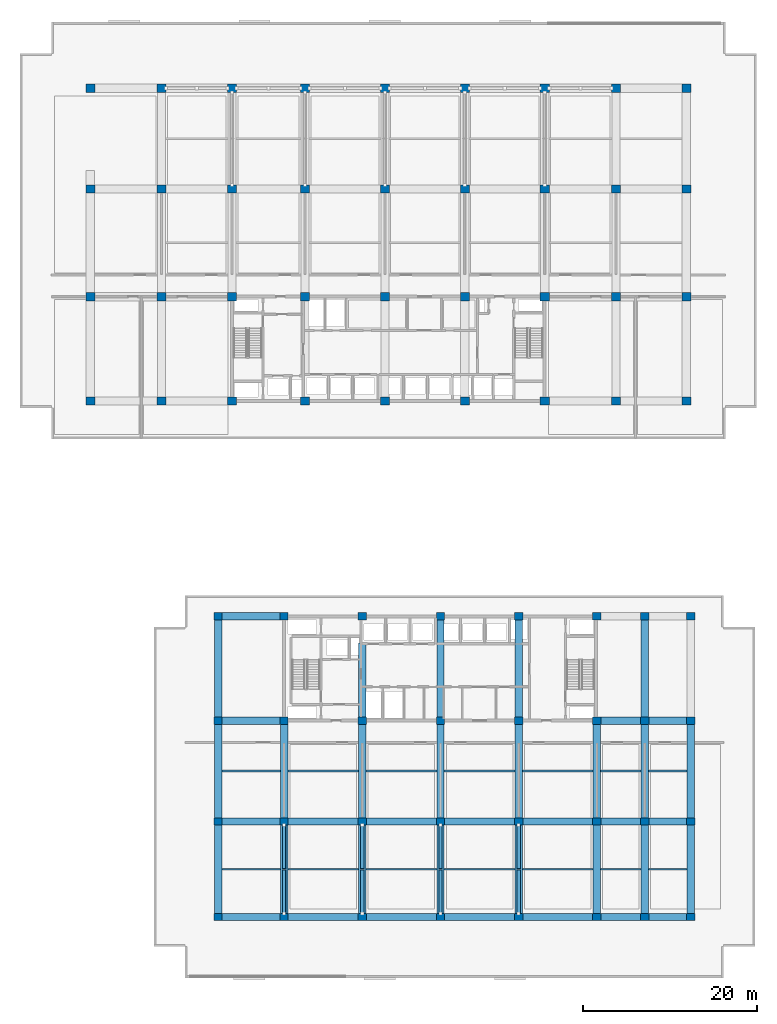
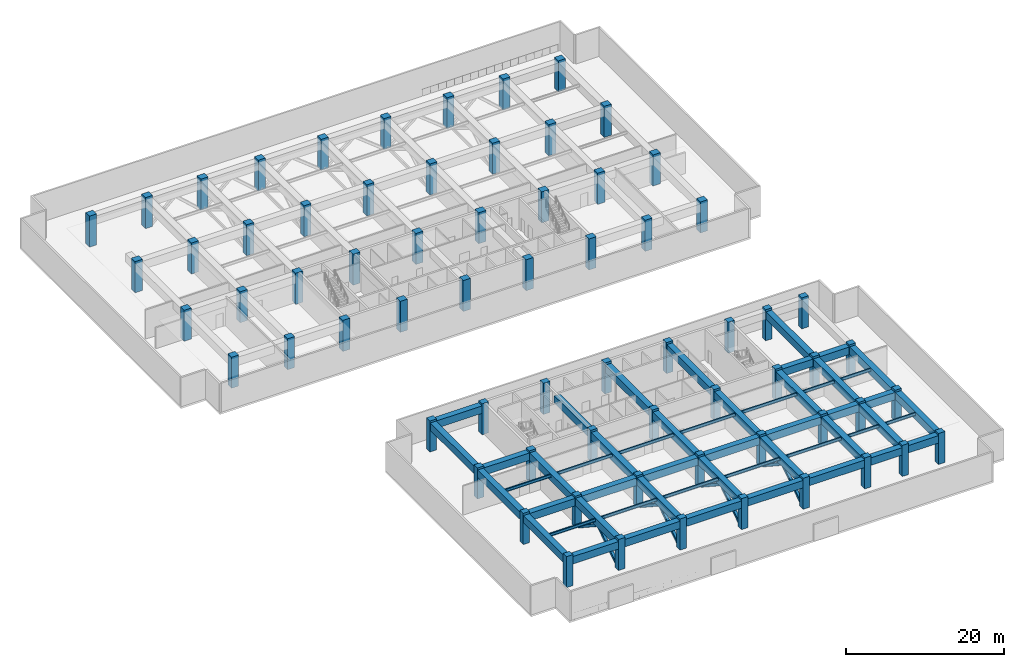
# One storey, part 1 of 21: 68 columns, 53 beams, 8 members.
"""IFC4 building model written with IfcOpenShell, lengths in metres."""

from ifc_helpers import new_model, si_unit, direction, frame, origin, origin_2d, place, context, subcontext, project, spatial, rectangle, hollow_rectangle, i_section, extrude, material, material_profile, profile_set, type_object, element, save


model = new_model("IFC4")

# Units and contexts
model_context = context("Model", 3, precision=1e-05, world=origin(), true_north=direction((0.0, 1.0)))
body_context = subcontext(model_context, "Body", "Model", "MODEL_VIEW")
ifc_project = project(units=[si_unit("LENGTHUNIT", "METRE"), si_unit("AREAUNIT", "SQUARE_METRE"), si_unit("VOLUMEUNIT", "CUBIC_METRE"), si_unit("PLANEANGLEUNIT", "RADIAN"), si_unit("MASSUNIT", "GRAM", prefix="KILO")], contexts=[model_context])

# Site, building, storey
site_placement = place(None, origin())
site = spatial("IfcSite", under=ifc_project, at=site_placement, CompositionType="ELEMENT")
building_placement = place(site_placement, origin())
building = spatial("IfcBuilding", under=site, at=building_placement, Name="Korimba Cascade Residences", CompositionType="ELEMENT")
storey_placement = place(building_placement, frame((0.0, 0.0, 76.0)))
storey = spatial("IfcBuildingStorey", under=building, at=storey_placement, Name="L21", CompositionType="ELEMENT", Elevation=76.0)

# Columns
ifc_material_1 = material(Name="Concrete C80/95", Category="concrete")
ifc_material_profile_1 = material_profile(ifc_material_1, rectangle(XDim=1.050048828125, YDim=0.949951171875, at=origin_2d()), Name="Concrete C80/95")
ifc_profile_set_1 = profile_set([ifc_material_profile_1], Name="Concrete C80/95")
column_type_1 = type_object("IfcColumnType", Name="COL-RC-1050", PredefinedType="COLUMN", material=ifc_profile_set_1)
for number, where, z_axis, x_axis, name in (
    (1, (59.800048828125, 55.199951171875, 0.0), (0.0, 0.0, 1.0), (1.0, 0.0, 0.0), "L21 Tower 1 Column 1.1"),
    (2, (59.800048828125, 67.199951171875, 0.0), (0.0, 0.0, 1.0), (1.0, 0.0, 0.0), "L21 Tower 1 Column 1.2"),
    (3, (59.800048828125, 79.60009765625, 0.0), (0.0, 0.0, 1.0), (1.0, 0.0, 0.0), "L21 Tower 1 Column 1.3"),
    (4, (59.800048828125, 91.199951171875, 0.0), (0.0, 0.0, 1.0), (1.0, 0.0, 0.0), "L21 Tower 1 Column 1.4"),
    (5, (68.0, 55.199951171875, 0.0), (0.0, 0.0, 1.0), (1.0, 0.0, 0.0), "L21 Tower 1 Column 2.1"),
    (6, (68.0, 67.199951171875, 0.0), (0.0, 0.0, 1.0), (1.0, 0.0, 0.0), "L21 Tower 1 Column 2.2"),
    (7, (68.0, 79.60009765625, 0.0), (0.0, 0.0, 1.0), (1.0, 0.0, 0.0), "L21 Tower 1 Column 2.3"),
    (8, (68.0, 91.199951171875, 0.0), (0.0, 0.0, 1.0), (1.0, 0.0, 0.0), "L21 Tower 1 Column 2.4"),
    (9, (76.10009765625, 55.199951171875, 0.0), (0.0, 0.0, 1.0), (1.0, 0.0, 0.0), "L21 Tower 1 Column 3.1"),
    (10, (76.10009765625, 67.199951171875, 0.0), (0.0, 0.0, 1.0), (1.0, 0.0, 0.0), "L21 Tower 1 Column 3.2"),
    (11, (76.10009765625, 79.60009765625, 0.0), (0.0, 0.0, 1.0), (1.0, 0.0, 0.0), "L21 Tower 1 Column 3.3"),
    (12, (76.10009765625, 91.199951171875, 0.0), (0.0, 0.0, 1.0), (1.0, 0.0, 0.0), "L21 Tower 1 Column 3.4"),
    (13, (84.5, 55.199951171875, 0.0), (0.0, 0.0, 1.0), (1.0, 0.0, 0.0), "L21 Tower 1 Column 4.1"),
    (14, (84.5, 67.199951171875, 0.0), (0.0, 0.0, 1.0), (1.0, 0.0, 0.0), "L21 Tower 1 Column 4.2"),
    (15, (84.5, 79.60009765625, 0.0), (0.0, 0.0, 1.0), (1.0, 0.0, 0.0), "L21 Tower 1 Column 4.3"),
    (16, (84.5, 91.199951171875, 0.0), (0.0, 0.0, 1.0), (1.0, 0.0, 0.0), "L21 Tower 1 Column 4.4"),
    (17, (93.699951171875, 55.199951171875, 0.0), (0.0, 0.0, 1.0), (1.0, 0.0, 0.0), "L21 Tower 1 Column 5.1"),
    (18, (93.699951171875, 67.199951171875, 0.0), (0.0, 0.0, 1.0), (1.0, 0.0, 0.0), "L21 Tower 1 Column 5.2"),
    (19, (93.699951171875, 79.60009765625, 0.0), (0.0, 0.0, 1.0), (1.0, 0.0, 0.0), "L21 Tower 1 Column 5.3"),
    (20, (93.699951171875, 91.199951171875, 0.0), (0.0, 0.0, 1.0), (1.0, 0.0, 0.0), "L21 Tower 1 Column 5.4"),
    (21, (102.89990234375, 55.199951171875, 0.0), (0.0, 0.0, 1.0), (1.0, 0.0, 0.0), "L21 Tower 1 Column 6.1"),
    (22, (102.89990234375, 67.199951171875, 0.0), (0.0, 0.0, 1.0), (1.0, 0.0, 0.0), "L21 Tower 1 Column 6.2"),
    (23, (102.89990234375, 79.60009765625, 0.0), (0.0, 0.0, 1.0), (1.0, 0.0, 0.0), "L21 Tower 1 Column 6.3"),
    (24, (102.89990234375, 91.199951171875, 0.0), (0.0, 0.0, 1.0), (1.0, 0.0, 0.0), "L21 Tower 1 Column 6.4"),
    (25, (112.10009765625, 55.199951171875, 0.0), (0.0, 0.0, 1.0), (1.0, 0.0, 0.0), "L21 Tower 1 Column 7.1"),
    (26, (112.10009765625, 67.199951171875, 0.0), (0.0, 0.0, 1.0), (1.0, 0.0, 0.0), "L21 Tower 1 Column 7.2"),
    (27, (112.10009765625, 79.60009765625, 0.0), (0.0, 0.0, 1.0), (1.0, 0.0, 0.0), "L21 Tower 1 Column 7.3"),
    (28, (112.10009765625, 91.199951171875, 0.0), (0.0, 0.0, 1.0), (1.0, 0.0, 0.0), "L21 Tower 1 Column 7.4"),
    (29, (120.300048828125, 55.199951171875, 0.0), (0.0, 0.0, 1.0), (1.0, 0.0, 0.0), "L21 Tower 1 Column 8.1"),
    (30, (120.300048828125, 67.199951171875, 0.0), (0.0, 0.0, 1.0), (1.0, 0.0, 0.0), "L21 Tower 1 Column 8.2"),
    (31, (120.300048828125, 79.60009765625, 0.0), (0.0, 0.0, 1.0), (1.0, 0.0, 0.0), "L21 Tower 1 Column 8.3"),
    (32, (120.300048828125, 91.199951171875, 0.0), (0.0, 0.0, 1.0), (1.0, 0.0, 0.0), "L21 Tower 1 Column 8.4"),
    (33, (128.39990234375, 55.199951171875, 0.0), (0.0, 0.0, 1.0), (1.0, 0.0, 0.0), "L21 Tower 1 Column 9.1"),
    (34, (128.39990234375, 67.199951171875, 0.0), (0.0, 0.0, 1.0), (1.0, 0.0, 0.0), "L21 Tower 1 Column 9.2"),
    (35, (128.39990234375, 79.60009765625, 0.0), (0.0, 0.0, 1.0), (1.0, 0.0, 0.0), "L21 Tower 1 Column 9.3"),
    (36, (128.39990234375, 91.199951171875, 0.0), (0.0, 0.0, 1.0), (1.0, 0.0, 0.0), "L21 Tower 1 Column 9.4"),
):
    element("IfcColumn", number, at=place(storey_placement, frame(where, z_axis=z_axis, x_axis=x_axis)), inside=storey, type_object=column_type_1, Name=name, PredefinedType="COLUMN", context=body_context, shape_type="SweptSolid", body=[
        extrude(rectangle(XDim=1.050048828125, YDim=0.949951171875, at=origin_2d()), origin(), (0.0, 0.0, 1.0), 4.800048828125),
    ])
ifc_material_2 = material(Name="Concrete C65/80", Category="concrete")
ifc_material_profile_2 = material_profile(ifc_material_2, rectangle(XDim=0.949951171875, YDim=0.85009765625, at=origin_2d()), Name="Concrete C65/80")
ifc_profile_set_2 = profile_set([ifc_material_profile_2], Name="Concrete C65/80")
column_type_2 = type_object("IfcColumnType", Name="COL-RC-950", PredefinedType="COLUMN", material=ifc_profile_set_2)
for number, where, z_axis, x_axis, name in (
    (37, (74.5, -4.199951171875, 0.0), (0.0, 0.0, 1.0), (1.0, 0.0, 0.0), "L21 Tower 2 Column 1.1"),
    (38, (74.5, 6.800048828125, 0.0), (0.0, 0.0, 1.0), (1.0, 0.0, 0.0), "L21 Tower 2 Column 1.2"),
    (39, (74.5, 18.39990234375, 0.0), (0.0, 0.0, 1.0), (1.0, 0.0, 0.0), "L21 Tower 2 Column 1.3"),
    (40, (74.5, 30.39990234375, 0.0), (0.0, 0.0, 1.0), (1.0, 0.0, 0.0), "L21 Tower 2 Column 1.4"),
    (41, (82.10009765625, -4.199951171875, 0.0), (0.0, 0.0, 1.0), (1.0, 0.0, 0.0), "L21 Tower 2 Column 2.1"),
    (42, (82.10009765625, 6.800048828125, 0.0), (0.0, 0.0, 1.0), (1.0, 0.0, 0.0), "L21 Tower 2 Column 2.2"),
    (43, (82.10009765625, 18.39990234375, 0.0), (0.0, 0.0, 1.0), (1.0, 0.0, 0.0), "L21 Tower 2 Column 2.3"),
    (44, (82.10009765625, 30.39990234375, 0.0), (0.0, 0.0, 1.0), (1.0, 0.0, 0.0), "L21 Tower 2 Column 2.4"),
    (45, (91.10009765625, -4.199951171875, 0.0), (0.0, 0.0, 1.0), (1.0, 0.0, 0.0), "L21 Tower 2 Column 3.1"),
    (46, (91.10009765625, 6.800048828125, 0.0), (0.0, 0.0, 1.0), (1.0, 0.0, 0.0), "L21 Tower 2 Column 3.2"),
    (47, (91.10009765625, 18.39990234375, 0.0), (0.0, 0.0, 1.0), (1.0, 0.0, 0.0), "L21 Tower 2 Column 3.3"),
    (48, (91.10009765625, 30.39990234375, 0.0), (0.0, 0.0, 1.0), (1.0, 0.0, 0.0), "L21 Tower 2 Column 3.4"),
    (49, (100.10009765625, -4.199951171875, 0.0), (0.0, 0.0, 1.0), (1.0, 0.0, 0.0), "L21 Tower 2 Column 4.1"),
    (50, (100.10009765625, 6.800048828125, 0.0), (0.0, 0.0, 1.0), (1.0, 0.0, 0.0), "L21 Tower 2 Column 4.2"),
    (51, (100.10009765625, 18.39990234375, 0.0), (0.0, 0.0, 1.0), (1.0, 0.0, 0.0), "L21 Tower 2 Column 4.3"),
    (52, (100.10009765625, 30.39990234375, 0.0), (0.0, 0.0, 1.0), (1.0, 0.0, 0.0), "L21 Tower 2 Column 4.4"),
    (53, (109.10009765625, -4.199951171875, 0.0), (0.0, 0.0, 1.0), (1.0, 0.0, 0.0), "L21 Tower 2 Column 5.1"),
    (54, (109.10009765625, 6.800048828125, 0.0), (0.0, 0.0, 1.0), (1.0, 0.0, 0.0), "L21 Tower 2 Column 5.2"),
    (55, (109.10009765625, 18.39990234375, 0.0), (0.0, 0.0, 1.0), (1.0, 0.0, 0.0), "L21 Tower 2 Column 5.3"),
    (56, (109.10009765625, 30.39990234375, 0.0), (0.0, 0.0, 1.0), (1.0, 0.0, 0.0), "L21 Tower 2 Column 5.4"),
    (57, (118.10009765625, -4.199951171875, 0.0), (0.0, 0.0, 1.0), (1.0, 0.0, 0.0), "L21 Tower 2 Column 6.1"),
    (58, (118.10009765625, 6.800048828125, 0.0), (0.0, 0.0, 1.0), (1.0, 0.0, 0.0), "L21 Tower 2 Column 6.2"),
    (59, (118.10009765625, 18.39990234375, 0.0), (0.0, 0.0, 1.0), (1.0, 0.0, 0.0), "L21 Tower 2 Column 6.3"),
    (60, (118.10009765625, 30.39990234375, 0.0), (0.0, 0.0, 1.0), (1.0, 0.0, 0.0), "L21 Tower 2 Column 6.4"),
    (61, (123.60009765625, -4.199951171875, 0.0), (0.0, 0.0, 1.0), (1.0, 0.0, 0.0), "L21 Tower 2 Column 7.1"),
    (62, (123.60009765625, 6.800048828125, 0.0), (0.0, 0.0, 1.0), (1.0, 0.0, 0.0), "L21 Tower 2 Column 7.2"),
    (63, (123.60009765625, 18.39990234375, 0.0), (0.0, 0.0, 1.0), (1.0, 0.0, 0.0), "L21 Tower 2 Column 7.3"),
    (64, (123.60009765625, 30.39990234375, 0.0), (0.0, 0.0, 1.0), (1.0, 0.0, 0.0), "L21 Tower 2 Column 7.4"),
    (65, (128.89990234375, -4.199951171875, 0.0), (0.0, 0.0, 1.0), (1.0, 0.0, 0.0), "L21 Tower 2 Column 8.1"),
    (66, (128.89990234375, 6.800048828125, 0.0), (0.0, 0.0, 1.0), (1.0, 0.0, 0.0), "L21 Tower 2 Column 8.2"),
    (67, (128.89990234375, 18.39990234375, 0.0), (0.0, 0.0, 1.0), (1.0, 0.0, 0.0), "L21 Tower 2 Column 8.3"),
    (68, (128.89990234375, 30.39990234375, 0.0), (0.0, 0.0, 1.0), (1.0, 0.0, 0.0), "L21 Tower 2 Column 8.4"),
):
    element("IfcColumn", number, at=place(storey_placement, frame(where, z_axis=z_axis, x_axis=x_axis)), inside=storey, type_object=column_type_2, Name=name, PredefinedType="COLUMN", context=body_context, shape_type="SweptSolid", body=[
        extrude(rectangle(XDim=0.949951171875, YDim=0.85009765625, at=origin_2d()), origin(), (0.0, 0.0, 1.0), 4.800048828125),
    ])

# Beams
ifc_material_3 = material(Name="Steel S355", Category="steel")
ifc_material_profile_3 = material_profile(ifc_material_3, i_section(OverallWidth=0.19140625, OverallDepth=0.4599609375, WebThickness=0.010009765625, FlangeThickness=0.01611328125, FilletRadius=0.01025390625, at=origin_2d()), Name="Steel S355")
ifc_profile_set_3 = profile_set([ifc_material_profile_3], Name="Steel S355")
beam_type_1 = type_object("IfcBeamType", Name="BM-STL-UB457", PredefinedType="JOIST", material=ifc_profile_set_3)
beam_1_placement = place(storey_placement, frame((74.925048828125, 1.300048828125, 4.25), z_axis=(1.0, 0.0, 0.0), x_axis=(0.0, 1.0, 0.0)))
element("IfcBeam", 69, at=beam_1_placement, inside=storey, type_object=beam_type_1, Name="L21 T2 Floor Joist 1.1", PredefinedType="JOIST", context=body_context, shape_type="SweptSolid", body=[
    extrude(i_section(OverallWidth=0.19140625, OverallDepth=0.4599609375, WebThickness=0.010009765625, FlangeThickness=0.01611328125, FilletRadius=0.01025390625, at=origin_2d()), origin(), (0.0, 0.0, 1.0), 6.75),
])
for number, where, z_axis, x_axis, name in (
    (70, (82.52490234375, 1.300048828125, 4.25), (1.0, 0.0, 0.0), (0.0, 1.0, 0.0), "L21 T2 Floor Joist 1.2"),
    (71, (91.52490234375, 1.300048828125, 4.25), (1.0, 0.0, 0.0), (0.0, 1.0, 0.0), "L21 T2 Floor Joist 1.3"),
    (72, (100.52490234375, 1.300048828125, 4.25), (1.0, 0.0, 0.0), (0.0, 1.0, 0.0), "L21 T2 Floor Joist 1.4"),
    (73, (109.52490234375, 1.300048828125, 4.25), (1.0, 0.0, 0.0), (0.0, 1.0, 0.0), "L21 T2 Floor Joist 1.5"),
):
    element("IfcBeam", number, at=place(storey_placement, frame(where, z_axis=z_axis, x_axis=x_axis)), inside=storey, type_object=beam_type_1, Name=name, PredefinedType="JOIST", context=body_context, shape_type="SweptSolid", body=[
        extrude(i_section(OverallWidth=0.19140625, OverallDepth=0.4599609375, WebThickness=0.010009765625, FlangeThickness=0.01611328125, FilletRadius=0.01025390625, at=origin_2d()), origin(), (0.0, 0.0, 1.0), 8.150146484375),
    ])
beam_2_placement = place(storey_placement, frame((118.52490234375, 1.300048828125, 4.25), z_axis=(1.0, 0.0, 0.0), x_axis=(0.0, 1.0, 0.0)))
element("IfcBeam", 74, at=beam_2_placement, inside=storey, type_object=beam_type_1, Name="L21 T2 Floor Joist 1.6", PredefinedType="JOIST", context=body_context, shape_type="SweptSolid", body=[
    extrude(i_section(OverallWidth=0.19140625, OverallDepth=0.4599609375, WebThickness=0.010009765625, FlangeThickness=0.01611328125, FilletRadius=0.01025390625, at=origin_2d()), origin(), (0.0, 0.0, 1.0), 4.650146484375),
])
beam_3_placement = place(storey_placement, frame((124.02490234375, 1.300048828125, 4.25), z_axis=(1.0, 0.0, 0.0), x_axis=(0.0, 1.0, 0.0)))
element("IfcBeam", 75, at=beam_3_placement, inside=storey, type_object=beam_type_1, Name="L21 T2 Floor Joist 1.7", PredefinedType="JOIST", context=body_context, shape_type="SweptSolid", body=[
    extrude(i_section(OverallWidth=0.19140625, OverallDepth=0.4599609375, WebThickness=0.010009765625, FlangeThickness=0.01611328125, FilletRadius=0.01025390625, at=origin_2d()), origin(), (0.0, 0.0, 1.0), 4.4501953125),
])
beam_4_placement = place(storey_placement, frame((74.925048828125, 12.60009765625, 4.25), z_axis=(1.0, 0.0, 0.0), x_axis=(0.0, 1.0, 0.0)))
element("IfcBeam", 76, at=beam_4_placement, inside=storey, type_object=beam_type_1, Name="L21 T2 Floor Joist 2.1", PredefinedType="JOIST", context=body_context, shape_type="SweptSolid", body=[
    extrude(i_section(OverallWidth=0.19140625, OverallDepth=0.4599609375, WebThickness=0.010009765625, FlangeThickness=0.01611328125, FilletRadius=0.01025390625, at=origin_2d()), origin(), (0.0, 0.0, 1.0), 6.75),
])
for number, where, z_axis, x_axis, name in (
    (77, (82.52490234375, 12.60009765625, 4.25), (1.0, 0.0, 0.0), (0.0, 1.0, 0.0), "L21 T2 Floor Joist 2.2"),
    (78, (91.52490234375, 12.60009765625, 4.25), (1.0, 0.0, 0.0), (0.0, 1.0, 0.0), "L21 T2 Floor Joist 2.3"),
    (79, (100.52490234375, 12.60009765625, 4.25), (1.0, 0.0, 0.0), (0.0, 1.0, 0.0), "L21 T2 Floor Joist 2.4"),
    (80, (109.52490234375, 12.60009765625, 4.25), (1.0, 0.0, 0.0), (0.0, 1.0, 0.0), "L21 T2 Floor Joist 2.5"),
):
    element("IfcBeam", number, at=place(storey_placement, frame(where, z_axis=z_axis, x_axis=x_axis)), inside=storey, type_object=beam_type_1, Name=name, PredefinedType="JOIST", context=body_context, shape_type="SweptSolid", body=[
        extrude(i_section(OverallWidth=0.19140625, OverallDepth=0.4599609375, WebThickness=0.010009765625, FlangeThickness=0.01611328125, FilletRadius=0.01025390625, at=origin_2d()), origin(), (0.0, 0.0, 1.0), 8.150146484375),
    ])
beam_5_placement = place(storey_placement, frame((118.52490234375, 12.60009765625, 4.25), z_axis=(1.0, 0.0, 0.0), x_axis=(0.0, 1.0, 0.0)))
element("IfcBeam", 81, at=beam_5_placement, inside=storey, type_object=beam_type_1, Name="L21 T2 Floor Joist 2.6", PredefinedType="JOIST", context=body_context, shape_type="SweptSolid", body=[
    extrude(i_section(OverallWidth=0.19140625, OverallDepth=0.4599609375, WebThickness=0.010009765625, FlangeThickness=0.01611328125, FilletRadius=0.01025390625, at=origin_2d()), origin(), (0.0, 0.0, 1.0), 4.650146484375),
])
beam_6_placement = place(storey_placement, frame((124.02490234375, 12.60009765625, 4.25), z_axis=(1.0, 0.0, 0.0), x_axis=(0.0, 1.0, 0.0)))
element("IfcBeam", 82, at=beam_6_placement, inside=storey, type_object=beam_type_1, Name="L21 T2 Floor Joist 2.7", PredefinedType="JOIST", context=body_context, shape_type="SweptSolid", body=[
    extrude(i_section(OverallWidth=0.19140625, OverallDepth=0.4599609375, WebThickness=0.010009765625, FlangeThickness=0.01611328125, FilletRadius=0.01025390625, at=origin_2d()), origin(), (0.0, 0.0, 1.0), 4.4501953125),
])
ifc_material_profile_4 = material_profile(ifc_material_2, rectangle(XDim=0.85009765625, YDim=1.14990234375, at=origin_2d()), Name="Concrete C65/80")
ifc_profile_set_4 = profile_set([ifc_material_profile_4], Name="Concrete C65/80")
beam_type_2 = type_object("IfcBeamType", Name="BM-TRF-1150", PredefinedType="T_BEAM", material=ifc_profile_set_4)
beam_7_placement = place(storey_placement, frame((74.97509765625, -4.199951171875, 3.905029296875), z_axis=(1.0, 0.0, 0.0), x_axis=(0.0, 1.0, 0.0)))
element("IfcBeam", 83, at=beam_7_placement, inside=storey, type_object=beam_type_2, Name="L21 T2 E-W Girder Y1 Bay 1", PredefinedType="T_BEAM", context=body_context, shape_type="SweptSolid", body=[
    extrude(rectangle(XDim=0.85009765625, YDim=1.14990234375, at=origin_2d()), origin(), (0.0, 0.0, 1.0), 6.64990234375),
])
for number, where, z_axis, x_axis, name in (
    (84, (82.574951171875, -4.199951171875, 3.905029296875), (1.0, 0.0, 0.0), (0.0, 1.0, 0.0), "L21 T2 E-W Girder Y1 Bay 2"),
    (85, (91.574951171875, -4.199951171875, 3.905029296875), (1.0, 0.0, 0.0), (0.0, 1.0, 0.0), "L21 T2 E-W Girder Y1 Bay 3"),
    (86, (100.574951171875, -4.199951171875, 3.905029296875), (1.0, 0.0, 0.0), (0.0, 1.0, 0.0), "L21 T2 E-W Girder Y1 Bay 4"),
    (87, (109.574951171875, -4.199951171875, 3.905029296875), (1.0, 0.0, 0.0), (0.0, 1.0, 0.0), "L21 T2 E-W Girder Y1 Bay 5"),
):
    element("IfcBeam", number, at=place(storey_placement, frame(where, z_axis=z_axis, x_axis=x_axis)), inside=storey, type_object=beam_type_2, Name=name, PredefinedType="T_BEAM", context=body_context, shape_type="SweptSolid", body=[
        extrude(rectangle(XDim=0.85009765625, YDim=1.14990234375, at=origin_2d()), origin(), (0.0, 0.0, 1.0), 8.050048828125),
    ])
beam_8_placement = place(storey_placement, frame((118.574951171875, -4.199951171875, 3.905029296875), z_axis=(1.0, 0.0, 0.0), x_axis=(0.0, 1.0, 0.0)))
element("IfcBeam", 88, at=beam_8_placement, inside=storey, type_object=beam_type_2, Name="L21 T2 E-W Girder Y1 Bay 6", PredefinedType="T_BEAM", context=body_context, shape_type="SweptSolid", body=[
    extrude(rectangle(XDim=0.85009765625, YDim=1.14990234375, at=origin_2d()), origin(), (0.0, 0.0, 1.0), 4.550048828125),
])
beam_9_placement = place(storey_placement, frame((124.074951171875, -4.199951171875, 3.905029296875), z_axis=(1.0, 0.0, 0.0), x_axis=(0.0, 1.0, 0.0)))
element("IfcBeam", 89, at=beam_9_placement, inside=storey, type_object=beam_type_2, Name="L21 T2 E-W Girder Y1 Bay 7", PredefinedType="T_BEAM", context=body_context, shape_type="SweptSolid", body=[
    extrude(rectangle(XDim=0.85009765625, YDim=1.14990234375, at=origin_2d()), origin(), (0.0, 0.0, 1.0), 4.35009765625),
])
beam_10_placement = place(storey_placement, frame((74.97509765625, 6.800048828125, 3.905029296875), z_axis=(1.0, 0.0, 0.0), x_axis=(0.0, 1.0, 0.0)))
element("IfcBeam", 90, at=beam_10_placement, inside=storey, type_object=beam_type_2, Name="L21 T2 E-W Girder Y2 Bay 1", PredefinedType="T_BEAM", context=body_context, shape_type="SweptSolid", body=[
    extrude(rectangle(XDim=0.85009765625, YDim=1.14990234375, at=origin_2d()), origin(), (0.0, 0.0, 1.0), 6.64990234375),
])
for number, where, z_axis, x_axis, name in (
    (91, (82.574951171875, 6.800048828125, 3.905029296875), (1.0, 0.0, 0.0), (0.0, 1.0, 0.0), "L21 T2 E-W Girder Y2 Bay 2"),
    (92, (91.574951171875, 6.800048828125, 3.905029296875), (1.0, 0.0, 0.0), (0.0, 1.0, 0.0), "L21 T2 E-W Girder Y2 Bay 3"),
    (93, (100.574951171875, 6.800048828125, 3.905029296875), (1.0, 0.0, 0.0), (0.0, 1.0, 0.0), "L21 T2 E-W Girder Y2 Bay 4"),
    (94, (109.574951171875, 6.800048828125, 3.905029296875), (1.0, 0.0, 0.0), (0.0, 1.0, 0.0), "L21 T2 E-W Girder Y2 Bay 5"),
):
    element("IfcBeam", number, at=place(storey_placement, frame(where, z_axis=z_axis, x_axis=x_axis)), inside=storey, type_object=beam_type_2, Name=name, PredefinedType="T_BEAM", context=body_context, shape_type="SweptSolid", body=[
        extrude(rectangle(XDim=0.85009765625, YDim=1.14990234375, at=origin_2d()), origin(), (0.0, 0.0, 1.0), 8.050048828125),
    ])
beam_11_placement = place(storey_placement, frame((118.574951171875, 6.800048828125, 3.905029296875), z_axis=(1.0, 0.0, 0.0), x_axis=(0.0, 1.0, 0.0)))
element("IfcBeam", 95, at=beam_11_placement, inside=storey, type_object=beam_type_2, Name="L21 T2 E-W Girder Y2 Bay 6", PredefinedType="T_BEAM", context=body_context, shape_type="SweptSolid", body=[
    extrude(rectangle(XDim=0.85009765625, YDim=1.14990234375, at=origin_2d()), origin(), (0.0, 0.0, 1.0), 4.550048828125),
])
beam_12_placement = place(storey_placement, frame((124.074951171875, 6.800048828125, 3.905029296875), z_axis=(1.0, 0.0, 0.0), x_axis=(0.0, 1.0, 0.0)))
element("IfcBeam", 96, at=beam_12_placement, inside=storey, type_object=beam_type_2, Name="L21 T2 E-W Girder Y2 Bay 7", PredefinedType="T_BEAM", context=body_context, shape_type="SweptSolid", body=[
    extrude(rectangle(XDim=0.85009765625, YDim=1.14990234375, at=origin_2d()), origin(), (0.0, 0.0, 1.0), 4.35009765625),
])
beam_13_placement = place(storey_placement, frame((74.97509765625, 18.39990234375, 3.905029296875), z_axis=(1.0, 0.0, 0.0), x_axis=(0.0, 1.0, 0.0)))
element("IfcBeam", 97, at=beam_13_placement, inside=storey, type_object=beam_type_2, Name="L21 T2 E-W Girder Y3 Bay 1", PredefinedType="T_BEAM", context=body_context, shape_type="SweptSolid", body=[
    extrude(rectangle(XDim=0.85009765625, YDim=1.14990234375, at=origin_2d()), origin(), (0.0, 0.0, 1.0), 6.64990234375),
])
beam_14_placement = place(storey_placement, frame((118.574951171875, 18.39990234375, 3.905029296875), z_axis=(1.0, 0.0, 0.0), x_axis=(0.0, 1.0, 0.0)))
element("IfcBeam", 98, at=beam_14_placement, inside=storey, type_object=beam_type_2, Name="L21 T2 E-W Girder Y3 Bay 6", PredefinedType="T_BEAM", context=body_context, shape_type="SweptSolid", body=[
    extrude(rectangle(XDim=0.85009765625, YDim=1.14990234375, at=origin_2d()), origin(), (0.0, 0.0, 1.0), 4.550048828125),
])
beam_15_placement = place(storey_placement, frame((124.074951171875, 18.39990234375, 3.905029296875), z_axis=(1.0, 0.0, 0.0), x_axis=(0.0, 1.0, 0.0)))
element("IfcBeam", 99, at=beam_15_placement, inside=storey, type_object=beam_type_2, Name="L21 T2 E-W Girder Y3 Bay 7", PredefinedType="T_BEAM", context=body_context, shape_type="SweptSolid", body=[
    extrude(rectangle(XDim=0.85009765625, YDim=1.14990234375, at=origin_2d()), origin(), (0.0, 0.0, 1.0), 4.35009765625),
])
beam_16_placement = place(storey_placement, frame((74.97509765625, 30.39990234375, 3.905029296875), z_axis=(1.0, 0.0, 0.0), x_axis=(0.0, 1.0, 0.0)))
element("IfcBeam", 100, at=beam_16_placement, inside=storey, type_object=beam_type_2, Name="L21 T2 E-W Girder Y4 Bay 1", PredefinedType="T_BEAM", context=body_context, shape_type="SweptSolid", body=[
    extrude(rectangle(XDim=0.85009765625, YDim=1.14990234375, at=origin_2d()), origin(), (0.0, 0.0, 1.0), 6.64990234375),
])
beam_17_placement = place(storey_placement, frame((74.5, -3.77490234375, 3.905029296875), z_axis=(0.0, 1.0, 0.0), x_axis=(-1.0, 0.0, 0.0)))
element("IfcBeam", 101, at=beam_17_placement, inside=storey, type_object=beam_type_2, Name="L21 T2 N-S Girder X1 Seg 1", PredefinedType="T_BEAM", context=body_context, shape_type="SweptSolid", body=[
    extrude(rectangle(XDim=0.85009765625, YDim=1.14990234375, at=origin_2d()), origin(), (0.0, 0.0, 1.0), 10.14990234375),
])
beam_18_placement = place(storey_placement, frame((74.5, 7.22509765625, 3.905029296875), z_axis=(0.0, 1.0, 0.0), x_axis=(-1.0, 0.0, 0.0)))
element("IfcBeam", 102, at=beam_18_placement, inside=storey, type_object=beam_type_2, Name="L21 T2 N-S Girder X1 Seg 2", PredefinedType="T_BEAM", context=body_context, shape_type="SweptSolid", body=[
    extrude(rectangle(XDim=0.85009765625, YDim=1.14990234375, at=origin_2d()), origin(), (0.0, 0.0, 1.0), 10.75),
])
beam_19_placement = place(storey_placement, frame((74.5, 18.824951171875, 3.905029296875), z_axis=(0.0, 1.0, 0.0), x_axis=(-1.0, 0.0, 0.0)))
element("IfcBeam", 103, at=beam_19_placement, inside=storey, type_object=beam_type_2, Name="L21 T2 N-S Girder X1 Seg 3", PredefinedType="T_BEAM", context=body_context, shape_type="SweptSolid", body=[
    extrude(rectangle(XDim=0.85009765625, YDim=1.14990234375, at=origin_2d()), origin(), (0.0, 0.0, 1.0), 11.150146484375),
])
beam_20_placement = place(storey_placement, frame((82.10009765625, -3.77490234375, 3.905029296875), z_axis=(0.0, 1.0, 0.0), x_axis=(-1.0, 0.0, 0.0)))
element("IfcBeam", 104, at=beam_20_placement, inside=storey, type_object=beam_type_2, Name="L21 T2 N-S Girder X2 Seg 1", PredefinedType="T_BEAM", context=body_context, shape_type="SweptSolid", body=[
    extrude(rectangle(XDim=0.85009765625, YDim=1.14990234375, at=origin_2d()), origin(), (0.0, 0.0, 1.0), 10.14990234375),
])
beam_21_placement = place(storey_placement, frame((82.10009765625, 7.22509765625, 3.905029296875), z_axis=(0.0, 1.0, 0.0), x_axis=(-1.0, 0.0, 0.0)))
element("IfcBeam", 105, at=beam_21_placement, inside=storey, type_object=beam_type_2, Name="L21 T2 N-S Girder X2 Seg 2", PredefinedType="T_BEAM", context=body_context, shape_type="SweptSolid", body=[
    extrude(rectangle(XDim=0.85009765625, YDim=1.14990234375, at=origin_2d()), origin(), (0.0, 0.0, 1.0), 10.75),
])
beam_22_placement = place(storey_placement, frame((91.10009765625, -3.77490234375, 3.905029296875), z_axis=(0.0, 1.0, 0.0), x_axis=(-1.0, 0.0, 0.0)))
element("IfcBeam", 106, at=beam_22_placement, inside=storey, type_object=beam_type_2, Name="L21 T2 N-S Girder X3 Seg 1", PredefinedType="T_BEAM", context=body_context, shape_type="SweptSolid", body=[
    extrude(rectangle(XDim=0.85009765625, YDim=1.14990234375, at=origin_2d()), origin(), (0.0, 0.0, 1.0), 10.14990234375),
])
beam_23_placement = place(storey_placement, frame((91.10009765625, 7.22509765625, 3.905029296875), z_axis=(0.0, 1.0, 0.0), x_axis=(-1.0, 0.0, 0.0)))
element("IfcBeam", 107, at=beam_23_placement, inside=storey, type_object=beam_type_2, Name="L21 T2 N-S Girder X3 Seg 2", PredefinedType="T_BEAM", context=body_context, shape_type="SweptSolid", body=[
    extrude(rectangle(XDim=0.85009765625, YDim=1.14990234375, at=origin_2d()), origin(), (0.0, 0.0, 1.0), 10.75),
])
beam_24_placement = place(storey_placement, frame((91.10009765625, 18.824951171875, 3.905029296875), z_axis=(0.0, 1.0, 0.0), x_axis=(-1.0, 0.0, 0.0)))
element("IfcBeam", 108, at=beam_24_placement, inside=storey, type_object=beam_type_2, Name="L21 T2 N-S Girder X3 Seg 3", PredefinedType="T_BEAM", context=body_context, shape_type="SweptSolid", body=[
    extrude(rectangle(XDim=0.85009765625, YDim=1.14990234375, at=origin_2d()), origin(), (0.0, 0.0, 1.0), 8.51513671875),
])
beam_25_placement = place(storey_placement, frame((100.10009765625, -3.77490234375, 3.905029296875), z_axis=(0.0, 1.0, 0.0), x_axis=(-1.0, 0.0, 0.0)))
element("IfcBeam", 109, at=beam_25_placement, inside=storey, type_object=beam_type_2, Name="L21 T2 N-S Girder X4 Seg 1", PredefinedType="T_BEAM", context=body_context, shape_type="SweptSolid", body=[
    extrude(rectangle(XDim=0.85009765625, YDim=1.14990234375, at=origin_2d()), origin(), (0.0, 0.0, 1.0), 10.14990234375),
])
beam_26_placement = place(storey_placement, frame((100.10009765625, 7.22509765625, 3.905029296875), z_axis=(0.0, 1.0, 0.0), x_axis=(-1.0, 0.0, 0.0)))
element("IfcBeam", 110, at=beam_26_placement, inside=storey, type_object=beam_type_2, Name="L21 T2 N-S Girder X4 Seg 2", PredefinedType="T_BEAM", context=body_context, shape_type="SweptSolid", body=[
    extrude(rectangle(XDim=0.85009765625, YDim=1.14990234375, at=origin_2d()), origin(), (0.0, 0.0, 1.0), 10.75),
])
beam_27_placement = place(storey_placement, frame((100.10009765625, 18.824951171875, 3.905029296875), z_axis=(0.0, 1.0, 0.0), x_axis=(-1.0, 0.0, 0.0)))
element("IfcBeam", 111, at=beam_27_placement, inside=storey, type_object=beam_type_2, Name="L21 T2 N-S Girder X4 Seg 3", PredefinedType="T_BEAM", context=body_context, shape_type="SweptSolid", body=[
    extrude(rectangle(XDim=0.85009765625, YDim=1.14990234375, at=origin_2d()), origin(), (0.0, 0.0, 1.0), 11.150146484375),
])
beam_28_placement = place(storey_placement, frame((109.10009765625, -3.77490234375, 3.905029296875), z_axis=(0.0, 1.0, 0.0), x_axis=(-1.0, 0.0, 0.0)))
element("IfcBeam", 112, at=beam_28_placement, inside=storey, type_object=beam_type_2, Name="L21 T2 N-S Girder X5 Seg 1", PredefinedType="T_BEAM", context=body_context, shape_type="SweptSolid", body=[
    extrude(rectangle(XDim=0.85009765625, YDim=1.14990234375, at=origin_2d()), origin(), (0.0, 0.0, 1.0), 10.14990234375),
])
beam_29_placement = place(storey_placement, frame((109.10009765625, 7.22509765625, 3.905029296875), z_axis=(0.0, 1.0, 0.0), x_axis=(-1.0, 0.0, 0.0)))
element("IfcBeam", 113, at=beam_29_placement, inside=storey, type_object=beam_type_2, Name="L21 T2 N-S Girder X5 Seg 2", PredefinedType="T_BEAM", context=body_context, shape_type="SweptSolid", body=[
    extrude(rectangle(XDim=0.85009765625, YDim=1.14990234375, at=origin_2d()), origin(), (0.0, 0.0, 1.0), 10.75),
])
beam_30_placement = place(storey_placement, frame((109.10009765625, 18.824951171875, 3.905029296875), z_axis=(0.0, 1.0, 0.0), x_axis=(-1.0, 0.0, 0.0)))
element("IfcBeam", 114, at=beam_30_placement, inside=storey, type_object=beam_type_2, Name="L21 T2 N-S Girder X5 Seg 3", PredefinedType="T_BEAM", context=body_context, shape_type="SweptSolid", body=[
    extrude(rectangle(XDim=0.85009765625, YDim=1.14990234375, at=origin_2d()), origin(), (0.0, 0.0, 1.0), 11.150146484375),
])
beam_31_placement = place(storey_placement, frame((118.10009765625, -3.77490234375, 3.905029296875), z_axis=(0.0, 1.0, 0.0), x_axis=(-1.0, 0.0, 0.0)))
element("IfcBeam", 115, at=beam_31_placement, inside=storey, type_object=beam_type_2, Name="L21 T2 N-S Girder X6 Seg 1", PredefinedType="T_BEAM", context=body_context, shape_type="SweptSolid", body=[
    extrude(rectangle(XDim=0.85009765625, YDim=1.14990234375, at=origin_2d()), origin(), (0.0, 0.0, 1.0), 10.14990234375),
])
beam_32_placement = place(storey_placement, frame((118.10009765625, 7.22509765625, 3.905029296875), z_axis=(0.0, 1.0, 0.0), x_axis=(-1.0, 0.0, 0.0)))
element("IfcBeam", 116, at=beam_32_placement, inside=storey, type_object=beam_type_2, Name="L21 T2 N-S Girder X6 Seg 2", PredefinedType="T_BEAM", context=body_context, shape_type="SweptSolid", body=[
    extrude(rectangle(XDim=0.85009765625, YDim=1.14990234375, at=origin_2d()), origin(), (0.0, 0.0, 1.0), 10.75),
])
beam_33_placement = place(storey_placement, frame((123.60009765625, -3.77490234375, 3.905029296875), z_axis=(0.0, 1.0, 0.0), x_axis=(-1.0, 0.0, 0.0)))
element("IfcBeam", 117, at=beam_33_placement, inside=storey, type_object=beam_type_2, Name="L21 T2 N-S Girder X7 Seg 1", PredefinedType="T_BEAM", context=body_context, shape_type="SweptSolid", body=[
    extrude(rectangle(XDim=0.85009765625, YDim=1.14990234375, at=origin_2d()), origin(), (0.0, 0.0, 1.0), 10.14990234375),
])
beam_34_placement = place(storey_placement, frame((123.60009765625, 7.22509765625, 3.905029296875), z_axis=(0.0, 1.0, 0.0), x_axis=(-1.0, 0.0, 0.0)))
element("IfcBeam", 118, at=beam_34_placement, inside=storey, type_object=beam_type_2, Name="L21 T2 N-S Girder X7 Seg 2", PredefinedType="T_BEAM", context=body_context, shape_type="SweptSolid", body=[
    extrude(rectangle(XDim=0.85009765625, YDim=1.14990234375, at=origin_2d()), origin(), (0.0, 0.0, 1.0), 10.75),
])
beam_35_placement = place(storey_placement, frame((123.60009765625, 18.824951171875, 3.905029296875), z_axis=(0.0, 1.0, 0.0), x_axis=(-1.0, 0.0, 0.0)))
element("IfcBeam", 119, at=beam_35_placement, inside=storey, type_object=beam_type_2, Name="L21 T2 N-S Girder X7 Seg 3", PredefinedType="T_BEAM", context=body_context, shape_type="SweptSolid", body=[
    extrude(rectangle(XDim=0.85009765625, YDim=1.14990234375, at=origin_2d()), origin(), (0.0, 0.0, 1.0), 11.150146484375),
])
beam_36_placement = place(storey_placement, frame((128.89990234375, -3.77490234375, 3.905029296875), z_axis=(0.0, 1.0, 0.0), x_axis=(-1.0, 0.0, 0.0)))
element("IfcBeam", 120, at=beam_36_placement, inside=storey, type_object=beam_type_2, Name="L21 T2 N-S Girder X8 Seg 1", PredefinedType="T_BEAM", context=body_context, shape_type="SweptSolid", body=[
    extrude(rectangle(XDim=0.85009765625, YDim=1.14990234375, at=origin_2d()), origin(), (0.0, 0.0, 1.0), 10.14990234375),
])
beam_37_placement = place(storey_placement, frame((128.89990234375, 7.22509765625, 3.905029296875), z_axis=(0.0, 1.0, 0.0), x_axis=(-1.0, 0.0, 0.0)))
element("IfcBeam", 121, at=beam_37_placement, inside=storey, type_object=beam_type_2, Name="L21 T2 N-S Girder X8 Seg 2", PredefinedType="T_BEAM", context=body_context, shape_type="SweptSolid", body=[
    extrude(rectangle(XDim=0.85009765625, YDim=1.14990234375, at=origin_2d()), origin(), (0.0, 0.0, 1.0), 10.75),
])

# Members
ifc_material_4 = material(Name="Steel S460", Category="steel")
ifc_material_profile_5 = material_profile(ifc_material_4, hollow_rectangle(XDim=0.39990234375, YDim=0.39990234375, WallThickness=0.01611328125, InnerFilletRadius=0.01611328125, OuterFilletRadius=0.031982421875, at=origin_2d()), Name="Steel S460")
ifc_profile_set_5 = profile_set([ifc_material_profile_5], Name="Steel S460")
member_type = type_object("IfcMemberType", Name="MEM-OUT-SHS400", PredefinedType="BRACE", material=ifc_profile_set_5)
for number, where, z_axis, x_axis, name in (
    (122, (82.10009765625, 6.375, 0.0), (0.0, -0.83607500755, 0.548615149035), (1.0, 0.0, 0.0), "L21 T2 Outrigger Chevron 1A"),
    (123, (82.10009765625, -3.77490234375, 0.0), (0.0, 0.83607500755, 0.548615149035), (-1.0, 0.0, 0.0), "L21 T2 Outrigger Chevron 1B"),
    (124, (91.10009765625, 6.375, 0.0), (0.0, -0.83607500755, 0.548615149035), (1.0, 0.0, 0.0), "L21 T2 Outrigger Chevron 2A"),
    (125, (91.10009765625, -3.77490234375, 0.0), (0.0, 0.83607500755, 0.548615149035), (-1.0, 0.0, 0.0), "L21 T2 Outrigger Chevron 2B"),
    (126, (100.10009765625, 6.375, 0.0), (0.0, -0.83607500755, 0.548615149035), (1.0, 0.0, 0.0), "L21 T2 Outrigger Chevron 3A"),
    (127, (100.10009765625, -3.77490234375, 0.0), (0.0, 0.83607500755, 0.548615149035), (-1.0, 0.0, 0.0), "L21 T2 Outrigger Chevron 3B"),
    (128, (109.10009765625, 6.375, 0.0), (0.0, -0.83607500755, 0.548615149035), (1.0, 0.0, 0.0), "L21 T2 Outrigger Chevron 4A"),
    (129, (109.10009765625, -3.77490234375, 0.0), (0.0, 0.83607500755, 0.548615149035), (-1.0, 0.0, 0.0), "L21 T2 Outrigger Chevron 4B"),
):
    element("IfcMember", number, at=place(storey_placement, frame(where, z_axis=z_axis, x_axis=x_axis)), inside=storey, type_object=member_type, Name=name, PredefinedType="BRACE", context=body_context, shape_type="SweptSolid", body=[
        extrude(hollow_rectangle(XDim=0.39990234375, YDim=0.39990234375, WallThickness=0.01611328125, InnerFilletRadius=0.01611328125, OuterFilletRadius=0.031982421875, at=origin_2d()), origin(), (0.0, 0.0, 1.0), 6.070068359375),
    ])

save(model, "model.ifc")
